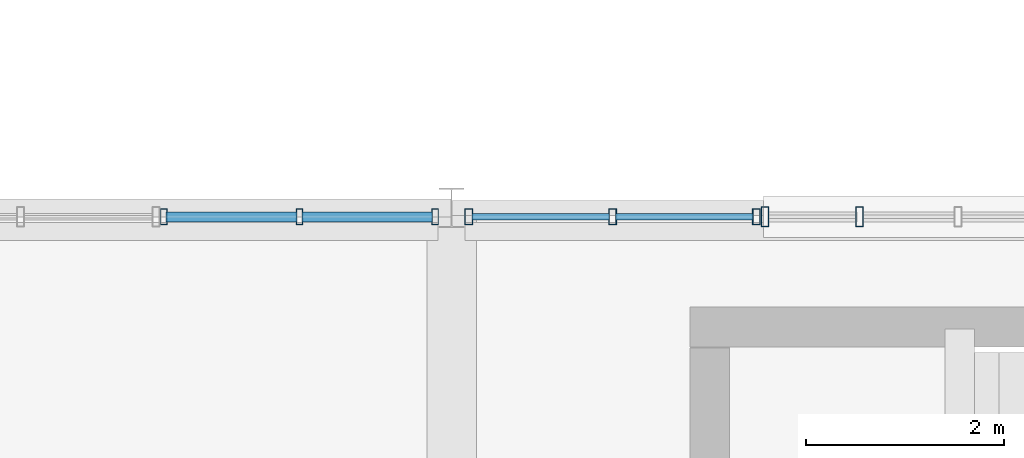
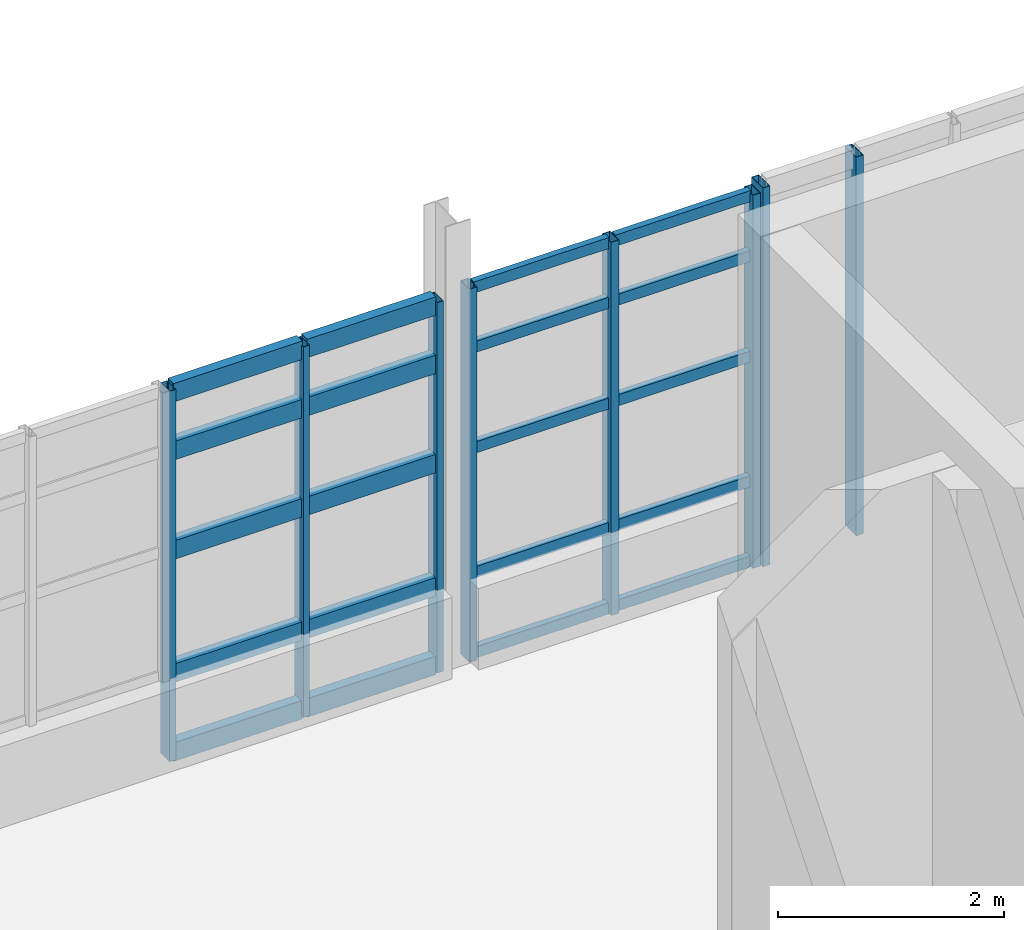
# One storey, part 77 of 127: 28 members, 3 elements without a shape of their own.
"""IFC4 building model written with IfcOpenShell, lengths in metres."""

from ifc_helpers import new_model, si_unit, derived_unit, direction, frame, origin, origin_2d, place, context, subcontext, project, spatial, hollow_rectangle, extrude, material, layer, layer_set, material_profile, profile_set, type_object, element, aggregate, save


model = new_model("IFC4")

# Units and contexts
model_context = context("Model", 3, precision=1e-05, world=origin(), true_north=direction((0.0, 1.0)))
body_context = subcontext(model_context, "Body", "Model", "MODEL_VIEW")
ifc_project = project(units=[si_unit("LENGTHUNIT", "METRE"), si_unit("AREAUNIT", "SQUARE_METRE"), si_unit("VOLUMEUNIT", "CUBIC_METRE"), si_unit("PLANEANGLEUNIT", "RADIAN"), si_unit("MASSUNIT", "GRAM", prefix="KILO"), derived_unit("THERMALTRANSMITTANCEUNIT", [(si_unit("POWERUNIT", "WATT"), 1), (si_unit("LENGTHUNIT", "METRE"), -2), (si_unit("THERMODYNAMICTEMPERATUREUNIT", "KELVIN"), -1)])], contexts=[model_context])

# Site, building, storey
site_placement = place(None, origin())
site = spatial("IfcSite", under=ifc_project, at=site_placement, CompositionType="ELEMENT")
building_placement = place(site_placement, origin())
building = spatial("IfcBuilding", under=site, at=building_placement, Name="Nallur Shell Playhouse", CompositionType="ELEMENT")
storey_placement = place(building_placement, frame((0.0, 0.0, 5.39990234375)))
storey = spatial("IfcBuildingStorey", under=building, at=storey_placement, Name="L02", CompositionType="ELEMENT", Elevation=5.39990234375)

# Curtain wall, members
ifc_material_1 = material(Name="Anodised Aluminium Double-Glazed Facade System", Category="aluminium")
ifc_layer_1 = layer(ifc_material_1, 0.172119140625)
ifc_layer_set_1 = layer_set([ifc_layer_1], Name="Anodised Aluminium Double-Glazed Facade System")
curtain_wall_type_1 = type_object("IfcCurtainWallType", Name="CW-UNIT-03", PredefinedType="NOTDEFINED", material=ifc_layer_set_1)
curtain_wall_1_placement = place(storey_placement, origin())
curtain_wall_1 = element("IfcCurtainWall", 1, at=curtain_wall_1_placement, inside=storey, type_object=curtain_wall_type_1, Name="Unitised curtain wall CW-035 (L02)", PredefinedType="NOTDEFINED")
ifc_material_2 = material(Name="Aluminium Alloy 6063-T6 Mullion", Category="aluminium")
ifc_material_profile_1 = material_profile(ifc_material_2, hollow_rectangle(XDim=0.080078125, YDim=0.159912109375, WallThickness=0.006103515625, at=origin_2d()), Name="RHS 160x80x6")
ifc_profile_set_1 = profile_set([ifc_material_profile_1], Name="Aluminium Alloy 6063-T6 Mullion")
member_type_1 = type_object("IfcMemberType", Name="MB-CW-MUL150", PredefinedType="MULLION", material=ifc_profile_set_1)
member_1_placement = place(storey_placement, frame((147.77294921875, 55.909912109375, -0.014892578125), z_axis=(0.0, 0.0, 1.0), x_axis=(1.0, 0.0, 0.0)))
member_1 = element("IfcMember", 2, at=member_1_placement, type_object=member_type_1, Name="CW-03 mullion 1", PredefinedType="MULLION", context=body_context, shape_type="SweptSolid", body=[
    extrude(hollow_rectangle(XDim=0.080078125, YDim=0.159912109375, WallThickness=0.006103515625, at=origin_2d()), origin(), (0.0, 0.0, 1.0), 4.033935546875),
])
member_2_placement = place(storey_placement, frame((149.22216796875, 55.909912109375, -0.014892578125), z_axis=(0.0, 0.0, 1.0), x_axis=(1.0, 0.0, 0.0)))
member_2 = element("IfcMember", 3, at=member_2_placement, type_object=member_type_1, Name="CW-03 mullion 2", PredefinedType="MULLION", context=body_context, shape_type="SweptSolid", body=[
    extrude(hollow_rectangle(XDim=0.080078125, YDim=0.159912109375, WallThickness=0.006103515625, at=origin_2d()), origin(), (0.0, 0.0, 1.0), 4.033935546875),
])
member_3_placement = place(storey_placement, frame((150.67138671875, 55.909912109375, -0.014892578125), z_axis=(0.0, 0.0, 1.0), x_axis=(1.0, 0.0, 0.0)))
member_3 = element("IfcMember", 4, at=member_3_placement, type_object=member_type_1, Name="CW-03 mullion 3", PredefinedType="MULLION", context=body_context, shape_type="SweptSolid", body=[
    extrude(hollow_rectangle(XDim=0.080078125, YDim=0.159912109375, WallThickness=0.006103515625, at=origin_2d()), origin(), (0.0, 0.0, 1.0), 4.033935546875),
])

ifc_layer_2 = layer(ifc_material_1, 0.16796875)
ifc_layer_set_2 = layer_set([ifc_layer_2], Name="Anodised Aluminium Double-Glazed Facade System")
curtain_wall_type_2 = type_object("IfcCurtainWallType", Name="CW-UNIT-02", PredefinedType="NOTDEFINED", material=ifc_layer_set_2)
curtain_wall_2_placement = place(storey_placement, origin())
curtain_wall_2 = element("IfcCurtainWall", 5, at=curtain_wall_2_placement, inside=storey, type_object=curtain_wall_type_2, Name="Unitised curtain wall CW-034 (L02)", PredefinedType="NOTDEFINED")
ifc_material_profile_2 = material_profile(ifc_material_2, hollow_rectangle(XDim=0.06494140625, YDim=0.159912109375, WallThickness=0.00390625, at=origin_2d()), Name="ALU 65x160x4")
ifc_profile_set_2 = profile_set([ifc_material_profile_2], Name="Aluminium Alloy 6063-T6 Mullion")
member_type_2 = type_object("IfcMemberType", Name="MB-CW-MUL160", PredefinedType="MULLION", material=ifc_profile_set_2)
member_4_placement = place(storey_placement, frame((144.699951171875, 55.909912109375, -0.014892578125), z_axis=(0.0, 0.0, 1.0), x_axis=(1.0, 0.0, 0.0)))
member_4 = element("IfcMember", 6, at=member_4_placement, type_object=member_type_2, Name="CW-02 mullion 1", PredefinedType="MULLION", context=body_context, shape_type="SweptSolid", body=[
    extrude(hollow_rectangle(XDim=0.06494140625, YDim=0.159912109375, WallThickness=0.00390625, at=origin_2d()), origin(), (0.0, 0.0, 1.0), 4.00390625),
])
member_5_placement = place(storey_placement, frame((146.067138671875, 55.909912109375, -0.014892578125), z_axis=(0.0, 0.0, 1.0), x_axis=(1.0, 0.0, 0.0)))
member_5 = element("IfcMember", 7, at=member_5_placement, type_object=member_type_2, Name="CW-02 mullion 2", PredefinedType="MULLION", context=body_context, shape_type="SweptSolid", body=[
    extrude(hollow_rectangle(XDim=0.06494140625, YDim=0.159912109375, WallThickness=0.00390625, at=origin_2d()), origin(), (0.0, 0.0, 1.0), 4.00390625),
])
member_6_placement = place(storey_placement, frame((147.4345703125, 55.909912109375, -0.014892578125), z_axis=(0.0, 0.0, 1.0), x_axis=(1.0, 0.0, 0.0)))
member_6 = element("IfcMember", 8, at=member_6_placement, type_object=member_type_2, Name="CW-02 mullion 3", PredefinedType="MULLION", context=body_context, shape_type="SweptSolid", body=[
    extrude(hollow_rectangle(XDim=0.06494140625, YDim=0.159912109375, WallThickness=0.00390625, at=origin_2d()), origin(), (0.0, 0.0, 1.0), 4.00390625),
])

ifc_layer_3 = layer(ifc_material_1, 0.176025390625)
ifc_layer_set_3 = layer_set([ifc_layer_3], Name="Anodised Aluminium Double-Glazed Facade System")
curtain_wall_type_3 = type_object("IfcCurtainWallType", Name="CW-UNIT-04", PredefinedType="NOTDEFINED", material=ifc_layer_set_3)
curtain_wall_3_placement = place(storey_placement, origin())
curtain_wall_3 = element("IfcCurtainWall", 9, at=curtain_wall_3_placement, inside=storey, type_object=curtain_wall_type_3, Name="Unitised curtain wall CW-036 (L02)", PredefinedType="NOTDEFINED")
ifc_material_profile_3 = material_profile(ifc_material_2, hollow_rectangle(XDim=0.074951171875, YDim=0.199951171875, WallThickness=0.0048828125, at=origin_2d()), Name="ALU 75x200x5")
ifc_profile_set_3 = profile_set([ifc_material_profile_3], Name="Aluminium Alloy 6063-T6 Mullion")
member_type_3 = type_object("IfcMemberType", Name="MB-CW-MUL180", PredefinedType="MULLION", material=ifc_profile_set_3)
member_7_placement = place(storey_placement, frame((150.759033203125, 55.909912109375, -0.014892578125), z_axis=(0.0, 0.0, 1.0), x_axis=(1.0, 0.0, 0.0)))
member_7 = element("IfcMember", 10, at=member_7_placement, type_object=member_type_3, Name="CW-04 mullion 1", PredefinedType="MULLION", context=body_context, shape_type="SweptSolid", body=[
    extrude(hollow_rectangle(XDim=0.074951171875, YDim=0.199951171875, WallThickness=0.0048828125, at=origin_2d()), origin(), (0.0, 0.0, 1.0), 4.093994140625),
])
member_8_placement = place(storey_placement, frame((151.712646484375, 55.909912109375, -0.014892578125), z_axis=(0.0, 0.0, 1.0), x_axis=(1.0, 0.0, 0.0)))
member_8 = element("IfcMember", 11, at=member_8_placement, type_object=member_type_3, Name="CW-04 mullion 2", PredefinedType="MULLION", context=body_context, shape_type="SweptSolid", body=[
    extrude(hollow_rectangle(XDim=0.074951171875, YDim=0.199951171875, WallThickness=0.0048828125, at=origin_2d()), origin(), (0.0, 0.0, 1.0), 4.093994140625),
])
aggregate(curtain_wall_3, [member_7, member_8])

# Member
ifc_material_3 = material(Name="Aluminium Alloy 6063-T6 Transom", Category="aluminium")
ifc_material_profile_4 = material_profile(ifc_material_3, hollow_rectangle(XDim=0.06494140625, YDim=0.1201171875, WallThickness=0.00390625, at=origin_2d()), Name="ALU 65x120x4")
ifc_profile_set_4 = profile_set([ifc_material_profile_4], Name="Aluminium Alloy 6063-T6 Transom")
member_type_4 = type_object("IfcMemberType", Name="MB-CW-TRN120", PredefinedType="USERDEFINED", material=ifc_profile_set_4)
member_9_placement = place(storey_placement, frame((147.804931640625, 55.909912109375, 0.03271484375), z_axis=(1.0, 0.0, 0.0), x_axis=(0.0, 1.0, 0.0)))
member_9 = element("IfcMember", 12, at=member_9_placement, type_object=member_type_4, Name="CW-03 transom 1.1", ObjectType="TRANSOM", PredefinedType="USERDEFINED", context=body_context, shape_type="SweptSolid", body=[
    extrude(hollow_rectangle(XDim=0.06494140625, YDim=0.1201171875, WallThickness=0.00390625, at=origin_2d()), origin(), (0.0, 0.0, 1.0), 1.38525390625),
])

member_10_placement = place(storey_placement, frame((147.804931640625, 55.909912109375, 0.900146484375), z_axis=(1.0, 0.0, 0.0), x_axis=(0.0, 1.0, 0.0)))
member_10 = element("IfcMember", 13, at=member_10_placement, type_object=member_type_4, Name="CW-03 transom 1.2", ObjectType="TRANSOM", PredefinedType="USERDEFINED", context=body_context, shape_type="SweptSolid", body=[
    extrude(hollow_rectangle(XDim=0.06494140625, YDim=0.1201171875, WallThickness=0.00390625, at=origin_2d()), origin(), (0.0, 0.0, 1.0), 1.38525390625),
])

member_11_placement = place(storey_placement, frame((147.804931640625, 55.909912109375, 2.248046875), z_axis=(1.0, 0.0, 0.0), x_axis=(0.0, 1.0, 0.0)))
member_11 = element("IfcMember", 14, at=member_11_placement, type_object=member_type_4, Name="CW-03 transom 1.3", ObjectType="TRANSOM", PredefinedType="USERDEFINED", context=body_context, shape_type="SweptSolid", body=[
    extrude(hollow_rectangle(XDim=0.06494140625, YDim=0.1201171875, WallThickness=0.00390625, at=origin_2d()), origin(), (0.0, 0.0, 1.0), 1.38525390625),
])

member_12_placement = place(storey_placement, frame((147.804931640625, 55.909912109375, 3.335205078125), z_axis=(1.0, 0.0, 0.0), x_axis=(0.0, 1.0, 0.0)))
member_12 = element("IfcMember", 15, at=member_12_placement, type_object=member_type_4, Name="CW-03 transom 1.4", ObjectType="TRANSOM", PredefinedType="USERDEFINED", context=body_context, shape_type="SweptSolid", body=[
    extrude(hollow_rectangle(XDim=0.06494140625, YDim=0.1201171875, WallThickness=0.00390625, at=origin_2d()), origin(), (0.0, 0.0, 1.0), 1.38525390625),
])

member_13_placement = place(storey_placement, frame((147.804931640625, 55.909912109375, 3.982666015625), z_axis=(1.0, 0.0, 0.0), x_axis=(0.0, 1.0, 0.0)))
member_13 = element("IfcMember", 16, at=member_13_placement, type_object=member_type_4, Name="CW-03 transom 1.5", ObjectType="TRANSOM", PredefinedType="USERDEFINED", context=body_context, shape_type="SweptSolid", body=[
    extrude(hollow_rectangle(XDim=0.06494140625, YDim=0.1201171875, WallThickness=0.00390625, at=origin_2d()), origin(), (0.0, 0.0, 1.0), 1.38525390625),
])

member_14_placement = place(storey_placement, frame((149.254150390625, 55.909912109375, 0.03271484375), z_axis=(1.0, 0.0, 0.0), x_axis=(0.0, 1.0, 0.0)))
member_14 = element("IfcMember", 17, at=member_14_placement, type_object=member_type_4, Name="CW-03 transom 2.1", ObjectType="TRANSOM", PredefinedType="USERDEFINED", context=body_context, shape_type="SweptSolid", body=[
    extrude(hollow_rectangle(XDim=0.06494140625, YDim=0.1201171875, WallThickness=0.00390625, at=origin_2d()), origin(), (0.0, 0.0, 1.0), 1.38525390625),
])

member_15_placement = place(storey_placement, frame((149.254150390625, 55.909912109375, 0.900146484375), z_axis=(1.0, 0.0, 0.0), x_axis=(0.0, 1.0, 0.0)))
member_15 = element("IfcMember", 18, at=member_15_placement, type_object=member_type_4, Name="CW-03 transom 2.2", ObjectType="TRANSOM", PredefinedType="USERDEFINED", context=body_context, shape_type="SweptSolid", body=[
    extrude(hollow_rectangle(XDim=0.06494140625, YDim=0.1201171875, WallThickness=0.00390625, at=origin_2d()), origin(), (0.0, 0.0, 1.0), 1.38525390625),
])

member_16_placement = place(storey_placement, frame((149.254150390625, 55.909912109375, 2.248046875), z_axis=(1.0, 0.0, 0.0), x_axis=(0.0, 1.0, 0.0)))
member_16 = element("IfcMember", 19, at=member_16_placement, type_object=member_type_4, Name="CW-03 transom 2.3", ObjectType="TRANSOM", PredefinedType="USERDEFINED", context=body_context, shape_type="SweptSolid", body=[
    extrude(hollow_rectangle(XDim=0.06494140625, YDim=0.1201171875, WallThickness=0.00390625, at=origin_2d()), origin(), (0.0, 0.0, 1.0), 1.38525390625),
])

member_17_placement = place(storey_placement, frame((149.254150390625, 55.909912109375, 3.335205078125), z_axis=(1.0, 0.0, 0.0), x_axis=(0.0, 1.0, 0.0)))
member_17 = element("IfcMember", 20, at=member_17_placement, type_object=member_type_4, Name="CW-03 transom 2.4", ObjectType="TRANSOM", PredefinedType="USERDEFINED", context=body_context, shape_type="SweptSolid", body=[
    extrude(hollow_rectangle(XDim=0.06494140625, YDim=0.1201171875, WallThickness=0.00390625, at=origin_2d()), origin(), (0.0, 0.0, 1.0), 1.38525390625),
])

member_18_placement = place(storey_placement, frame((149.254150390625, 55.909912109375, 3.982666015625), z_axis=(1.0, 0.0, 0.0), x_axis=(0.0, 1.0, 0.0)))
member_18 = element("IfcMember", 21, at=member_18_placement, type_object=member_type_4, Name="CW-03 transom 2.5", ObjectType="TRANSOM", PredefinedType="USERDEFINED", context=body_context, shape_type="SweptSolid", body=[
    extrude(hollow_rectangle(XDim=0.06494140625, YDim=0.1201171875, WallThickness=0.00390625, at=origin_2d()), origin(), (0.0, 0.0, 1.0), 1.38525390625),
])

aggregate(curtain_wall_1, [member_1, member_2, member_3, member_9, member_10, member_11, member_12, member_13, member_14, member_15, member_16, member_17, member_18])

ifc_material_profile_5 = material_profile(ifc_material_3, hollow_rectangle(XDim=0.10009765625, YDim=0.199951171875, WallThickness=0.008056640625, at=origin_2d()), Name="RHS 200x100x8")
ifc_profile_set_5 = profile_set([ifc_material_profile_5], Name="Aluminium Alloy 6063-T6 Transom")
member_type_5 = type_object("IfcMemberType", Name="MB-CW-TRN140", PredefinedType="USERDEFINED", material=ifc_profile_set_5)
member_19_placement = place(storey_placement, frame((144.724609375, 55.909912109375, 0.050048828125), z_axis=(1.0, 0.0, 0.0), x_axis=(0.0, 1.0, 0.0)))
member_19 = element("IfcMember", 22, at=member_19_placement, type_object=member_type_5, Name="CW-02 transom 1.1", ObjectType="TRANSOM", PredefinedType="USERDEFINED", context=body_context, shape_type="SweptSolid", body=[
    extrude(hollow_rectangle(XDim=0.10009765625, YDim=0.199951171875, WallThickness=0.008056640625, at=origin_2d()), origin(), (0.0, 0.0, 1.0), 1.318115234375),
])

member_20_placement = place(storey_placement, frame((144.724609375, 55.909912109375, 0.900146484375), z_axis=(1.0, 0.0, 0.0), x_axis=(0.0, 1.0, 0.0)))
member_20 = element("IfcMember", 23, at=member_20_placement, type_object=member_type_5, Name="CW-02 transom 1.2", ObjectType="TRANSOM", PredefinedType="USERDEFINED", context=body_context, shape_type="SweptSolid", body=[
    extrude(hollow_rectangle(XDim=0.10009765625, YDim=0.199951171875, WallThickness=0.008056640625, at=origin_2d()), origin(), (0.0, 0.0, 1.0), 1.318115234375),
])

member_21_placement = place(storey_placement, frame((144.724609375, 55.909912109375, 2.232177734375), z_axis=(1.0, 0.0, 0.0), x_axis=(0.0, 1.0, 0.0)))
member_21 = element("IfcMember", 24, at=member_21_placement, type_object=member_type_5, Name="CW-02 transom 1.3", ObjectType="TRANSOM", PredefinedType="USERDEFINED", context=body_context, shape_type="SweptSolid", body=[
    extrude(hollow_rectangle(XDim=0.10009765625, YDim=0.199951171875, WallThickness=0.008056640625, at=origin_2d()), origin(), (0.0, 0.0, 1.0), 1.318115234375),
])

member_22_placement = place(storey_placement, frame((144.724609375, 55.909912109375, 3.30517578125), z_axis=(1.0, 0.0, 0.0), x_axis=(0.0, 1.0, 0.0)))
member_22 = element("IfcMember", 25, at=member_22_placement, type_object=member_type_5, Name="CW-02 transom 1.4", ObjectType="TRANSOM", PredefinedType="USERDEFINED", context=body_context, shape_type="SweptSolid", body=[
    extrude(hollow_rectangle(XDim=0.10009765625, YDim=0.199951171875, WallThickness=0.008056640625, at=origin_2d()), origin(), (0.0, 0.0, 1.0), 1.318115234375),
])

member_23_placement = place(storey_placement, frame((144.724609375, 55.909912109375, 3.93505859375), z_axis=(1.0, 0.0, 0.0), x_axis=(0.0, 1.0, 0.0)))
member_23 = element("IfcMember", 26, at=member_23_placement, type_object=member_type_5, Name="CW-02 transom 1.5", ObjectType="TRANSOM", PredefinedType="USERDEFINED", context=body_context, shape_type="SweptSolid", body=[
    extrude(hollow_rectangle(XDim=0.10009765625, YDim=0.199951171875, WallThickness=0.008056640625, at=origin_2d()), origin(), (0.0, 0.0, 1.0), 1.318115234375),
])

member_24_placement = place(storey_placement, frame((146.091796875, 55.909912109375, 0.050048828125), z_axis=(1.0, 0.0, 0.0), x_axis=(0.0, 1.0, 0.0)))
member_24 = element("IfcMember", 27, at=member_24_placement, type_object=member_type_5, Name="CW-02 transom 2.1", ObjectType="TRANSOM", PredefinedType="USERDEFINED", context=body_context, shape_type="SweptSolid", body=[
    extrude(hollow_rectangle(XDim=0.10009765625, YDim=0.199951171875, WallThickness=0.008056640625, at=origin_2d()), origin(), (0.0, 0.0, 1.0), 1.318115234375),
])

member_25_placement = place(storey_placement, frame((146.091796875, 55.909912109375, 0.900146484375), z_axis=(1.0, 0.0, 0.0), x_axis=(0.0, 1.0, 0.0)))
member_25 = element("IfcMember", 28, at=member_25_placement, type_object=member_type_5, Name="CW-02 transom 2.2", ObjectType="TRANSOM", PredefinedType="USERDEFINED", context=body_context, shape_type="SweptSolid", body=[
    extrude(hollow_rectangle(XDim=0.10009765625, YDim=0.199951171875, WallThickness=0.008056640625, at=origin_2d()), origin(), (0.0, 0.0, 1.0), 1.318115234375),
])

member_26_placement = place(storey_placement, frame((146.091796875, 55.909912109375, 2.232177734375), z_axis=(1.0, 0.0, 0.0), x_axis=(0.0, 1.0, 0.0)))
member_26 = element("IfcMember", 29, at=member_26_placement, type_object=member_type_5, Name="CW-02 transom 2.3", ObjectType="TRANSOM", PredefinedType="USERDEFINED", context=body_context, shape_type="SweptSolid", body=[
    extrude(hollow_rectangle(XDim=0.10009765625, YDim=0.199951171875, WallThickness=0.008056640625, at=origin_2d()), origin(), (0.0, 0.0, 1.0), 1.318115234375),
])

member_27_placement = place(storey_placement, frame((146.091796875, 55.909912109375, 3.30517578125), z_axis=(1.0, 0.0, 0.0), x_axis=(0.0, 1.0, 0.0)))
member_27 = element("IfcMember", 30, at=member_27_placement, type_object=member_type_5, Name="CW-02 transom 2.4", ObjectType="TRANSOM", PredefinedType="USERDEFINED", context=body_context, shape_type="SweptSolid", body=[
    extrude(hollow_rectangle(XDim=0.10009765625, YDim=0.199951171875, WallThickness=0.008056640625, at=origin_2d()), origin(), (0.0, 0.0, 1.0), 1.318115234375),
])

member_28_placement = place(storey_placement, frame((146.091796875, 55.909912109375, 3.93505859375), z_axis=(1.0, 0.0, 0.0), x_axis=(0.0, 1.0, 0.0)))
member_28 = element("IfcMember", 31, at=member_28_placement, type_object=member_type_5, Name="CW-02 transom 2.5", ObjectType="TRANSOM", PredefinedType="USERDEFINED", context=body_context, shape_type="SweptSolid", body=[
    extrude(hollow_rectangle(XDim=0.10009765625, YDim=0.199951171875, WallThickness=0.008056640625, at=origin_2d()), origin(), (0.0, 0.0, 1.0), 1.318115234375),
])

aggregate(curtain_wall_2, [member_4, member_5, member_6, member_19, member_20, member_21, member_22, member_23, member_24, member_25, member_26, member_27, member_28])

save(model, "model.ifc")
